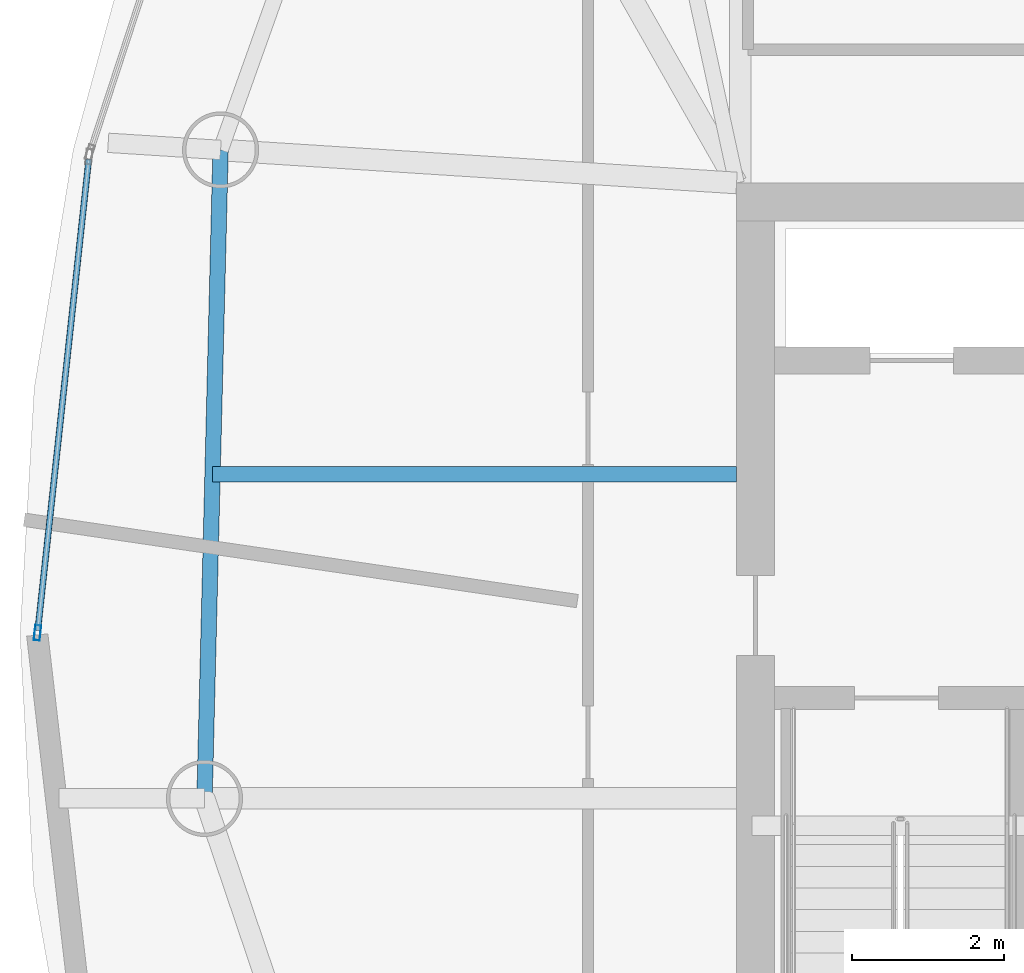
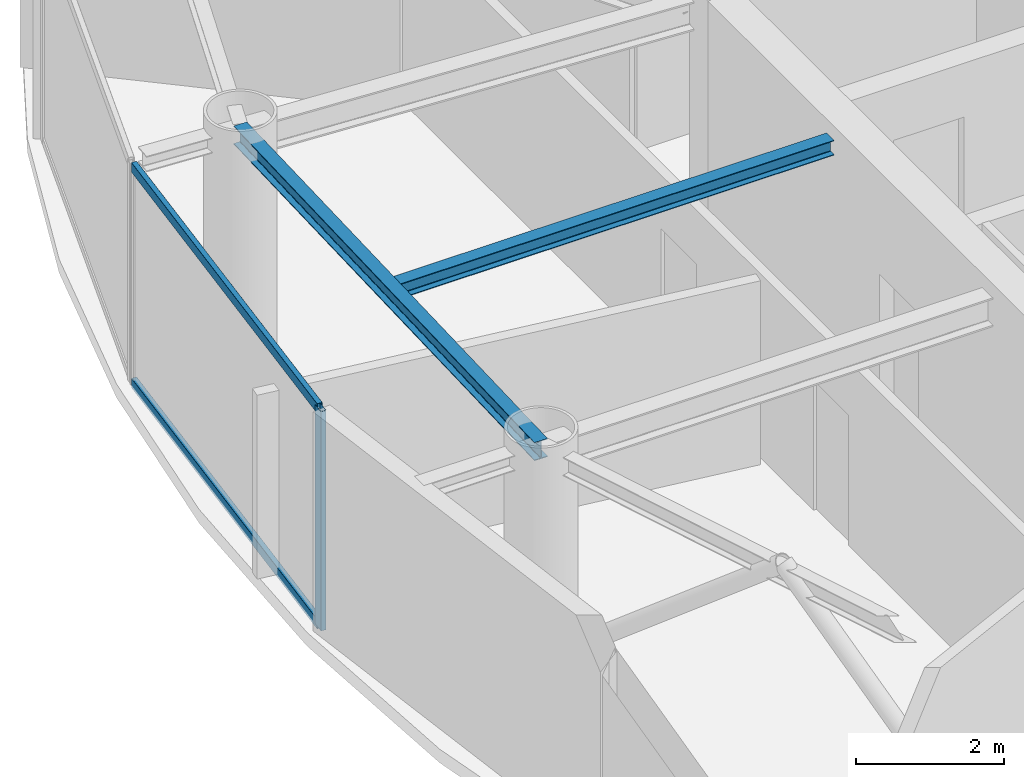
# One storey, part 6 of 20: 3 members, 2 beams, 1 element without a shape of its own.
"""IFC4 building model written with IfcOpenShell, lengths in metres."""

from ifc_helpers import new_model, si_unit, direction, frame, origin, origin_2d, place, context, subcontext, project, spatial, hollow_rectangle, i_section, extrude, material, layer, layer_set, material_profile, profile_set, type_object, element, aggregate, save


model = new_model("IFC4")

# Units and contexts
model_context = context("Model", 3, precision=1e-05, world=origin(), true_north=direction((0.0, 1.0)))
body_context = subcontext(model_context, "Body", "Model", "MODEL_VIEW")
ifc_project = project(units=[si_unit("LENGTHUNIT", "METRE"), si_unit("AREAUNIT", "SQUARE_METRE"), si_unit("VOLUMEUNIT", "CUBIC_METRE"), si_unit("PLANEANGLEUNIT", "RADIAN"), si_unit("MASSUNIT", "GRAM", prefix="KILO")], contexts=[model_context])

# Site, building, storey
site_placement = place(None, origin())
site = spatial("IfcSite", under=ifc_project, at=site_placement, CompositionType="ELEMENT")
building_placement = place(site_placement, origin())
building = spatial("IfcBuilding", under=site, at=building_placement, Name="Bramvorn Convention Spire", CompositionType="ELEMENT")
storey_placement = place(building_placement, frame((0.0, 0.0, 276.699951171875)))
storey = spatial("IfcBuildingStorey", under=building, at=storey_placement, Name="L70", CompositionType="ELEMENT", Elevation=276.699951171875)

# Beams
ifc_material_1 = material(Name="Steel CSA G40.21 Grade 350 (350W)", Category="steel")
ifc_material_profile_1 = material_profile(ifc_material_1, i_section(OverallWidth=0.201904296875, OverallDepth=0.2470703125, WebThickness=0.00732421875, FlangeThickness=0.010986328125, FilletRadius=0.011962890625, at=origin_2d()))
ifc_profile_set_1 = profile_set([ifc_material_profile_1], Name="Steel CSA G40.21 Grade 350 (350W) - W250X49")
beam_type_1 = type_object("IfcBeamType", Name="BM-W250X49", PredefinedType="JOIST", material=ifc_profile_set_1)
beam_1_placement = place(storey_placement, frame((26.75, 29.626953125, 3.50146484375), z_axis=(-1.0, 0.0, 0.0), x_axis=(0.0, -1.0, 0.0)))
element("IfcBeam", 1, at=beam_1_placement, inside=storey, type_object=beam_type_1, Name="L70 composite floor joist 11", PredefinedType="JOIST", context=body_context, shape_type="SweptSolid", body=[
    extrude(i_section(OverallWidth=0.201904296875, OverallDepth=0.2470703125, WebThickness=0.00732421875, FlangeThickness=0.010986328125, FilletRadius=0.011962890625, at=origin_2d()), origin(), (0.0, 0.0, 1.0), 6.879150390625),
])
ifc_material_profile_2 = material_profile(ifc_material_1, i_section(OverallWidth=0.202880859375, OverallDepth=0.302978515625, WebThickness=0.007568359375, FlangeThickness=0.01318359375, FilletRadius=0.013916015625, at=origin_2d()))
ifc_profile_set_2 = profile_set([ifc_material_profile_2], Name="Steel CSA G40.21 Grade 350 (350W) - W310X60")
beam_type_2 = type_object("IfcBeamType", Name="BM-W310X60", PredefinedType="JOIST", material=ifc_profile_set_2)
beam_2_placement = place(storey_placement, frame((19.976318359375, 33.883544921875, 3.4736328125), z_axis=(-0.024770853371, -0.999693155335, 0.0), x_axis=(0.999693155335, -0.024770853371, 0.0)))
element("IfcBeam", 2, at=beam_2_placement, inside=storey, type_object=beam_type_2, Name="L70 mega-column ring beam 11", PredefinedType="JOIST", context=body_context, shape_type="SweptSolid", body=[
    extrude(i_section(OverallWidth=0.202880859375, OverallDepth=0.302978515625, WebThickness=0.007568359375, FlangeThickness=0.01318359375, FilletRadius=0.013916015625, at=origin_2d()), origin(), (0.0, 0.0, 1.0), 8.515625),
])

# Curtain wall, members
ifc_material_2 = material(Name="Anodised Bronze Unitised Curtain Wall", Category="aluminium")
ifc_layer = layer(ifc_material_2, 0.179931640625)
ifc_layer_set = layer_set([ifc_layer], Name="Anodised Bronze Unitised Curtain Wall - CW-OFF-FRIT")
curtain_wall_type = type_object("IfcCurtainWallType", Name="CW-OFF-FRIT", PredefinedType="USERDEFINED", material=ifc_layer_set)
curtain_wall_placement = place(storey_placement, origin())
curtain_wall = element("IfcCurtainWall", 3, at=curtain_wall_placement, inside=storey, type_object=curtain_wall_type, Name="L70 fritted glass curtain wall 16", ObjectType="UNITISED CURTAIN WALL", PredefinedType="USERDEFINED")
ifc_material_3 = material(Name="Anodised Bronze Aluminium 6063-T6", Category="aluminium")
ifc_material_profile_3 = material_profile(ifc_material_3, hollow_rectangle(XDim=0.080078125, YDim=0.199951171875, WallThickness=0.00390625, InnerFilletRadius=0.0009765625, OuterFilletRadius=0.00390625, at=origin_2d()))
ifc_profile_set_3 = profile_set([ifc_material_profile_3], Name="Anodised Bronze Aluminium 6063-T6 - CWM80X200")
member_type_1 = type_object("IfcMemberType", Name="CW-MUL-180", PredefinedType="MULLION", material=ifc_profile_set_3)
member_1_placement = place(storey_placement, frame((17.572998046875, 27.54541015625, 0.0), z_axis=(0.0, 0.0, 1.0), x_axis=(-0.994191698655, 0.107623725664, 0.0)))
member_1 = element("IfcMember", 4, at=member_1_placement, type_object=member_type_1, Name="CW3 mullion 1", PredefinedType="MULLION", context=body_context, shape_type="SweptSolid", body=[
    extrude(hollow_rectangle(XDim=0.080078125, YDim=0.199951171875, WallThickness=0.00390625, InnerFilletRadius=0.0009765625, OuterFilletRadius=0.00390625, at=origin_2d()), origin(), (0.0, 0.0, 1.0), 3.625),
])
ifc_material_profile_4 = material_profile(ifc_material_3, hollow_rectangle(XDim=0.080078125, YDim=0.159912109375, WallThickness=0.00390625, InnerFilletRadius=0.0009765625, OuterFilletRadius=0.00390625, at=origin_2d()))
ifc_profile_set_4 = profile_set([ifc_material_profile_4], Name="Anodised Bronze Aluminium 6063-T6 - CWT80X160")
member_type_2 = type_object("IfcMemberType", Name="CW-TRN-150", PredefinedType="USERDEFINED", material=ifc_profile_set_4)
member_2_placement = place(storey_placement, frame((17.576171875, 27.5751953125, 0.030029296875), z_axis=(0.107654714128, 0.994188343588, 0.0), x_axis=(-0.994188343588, 0.107654714128, 0.0)))
member_2 = element("IfcMember", 5, at=member_2_placement, type_object=member_type_2, Name="CW3 transom 1.1", ObjectType="TRANSOM", PredefinedType="USERDEFINED", context=body_context, shape_type="SweptSolid", body=[
    extrude(hollow_rectangle(XDim=0.080078125, YDim=0.159912109375, WallThickness=0.00390625, InnerFilletRadius=0.0009765625, OuterFilletRadius=0.00390625, at=origin_2d()), origin(), (0.0, 0.0, 1.0), 6.22509765625),
])
member_3_placement = place(storey_placement, frame((17.576171875, 27.5751953125, 3.594970703125), z_axis=(0.107654714128, 0.994188343588, 0.0), x_axis=(-0.994188343588, 0.107654714128, 0.0)))
member_3 = element("IfcMember", 6, at=member_3_placement, type_object=member_type_2, Name="CW3 transom 1.2", ObjectType="TRANSOM", PredefinedType="USERDEFINED", context=body_context, shape_type="SweptSolid", body=[
    extrude(hollow_rectangle(XDim=0.080078125, YDim=0.159912109375, WallThickness=0.00390625, InnerFilletRadius=0.0009765625, OuterFilletRadius=0.00390625, at=origin_2d()), origin(), (0.0, 0.0, 1.0), 6.22509765625),
])
aggregate(curtain_wall, [member_1, member_2, member_3])

save(model, "model.ifc")
